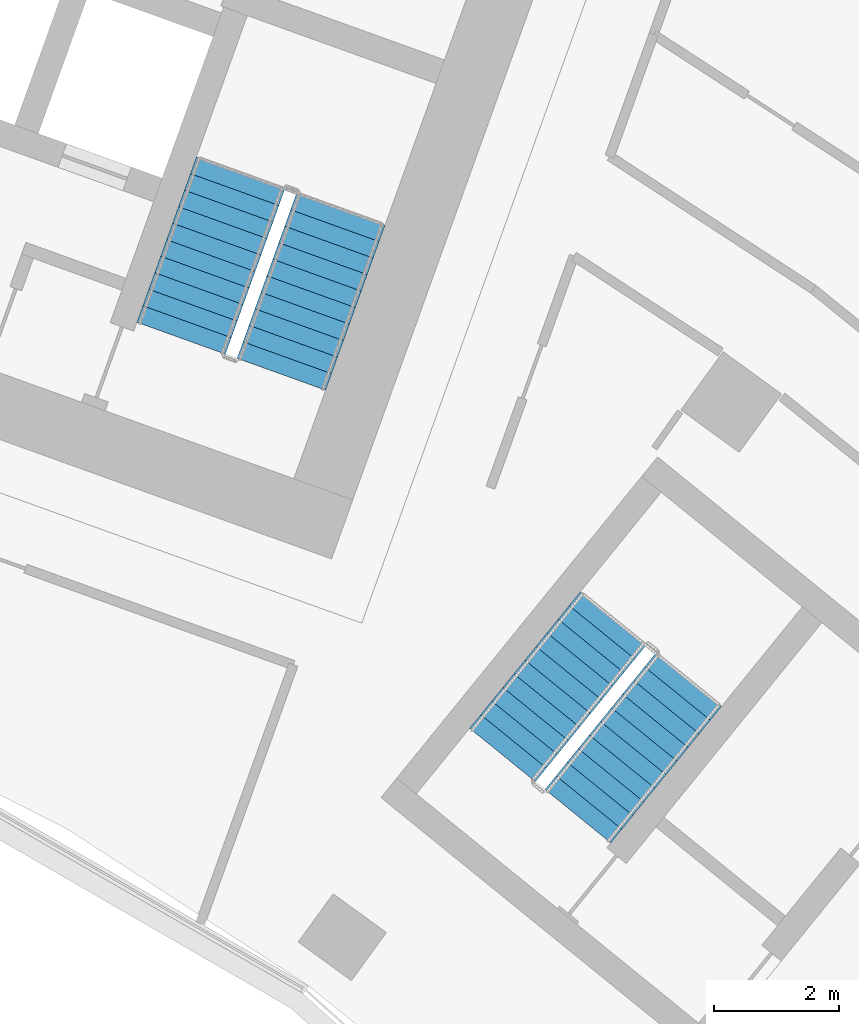
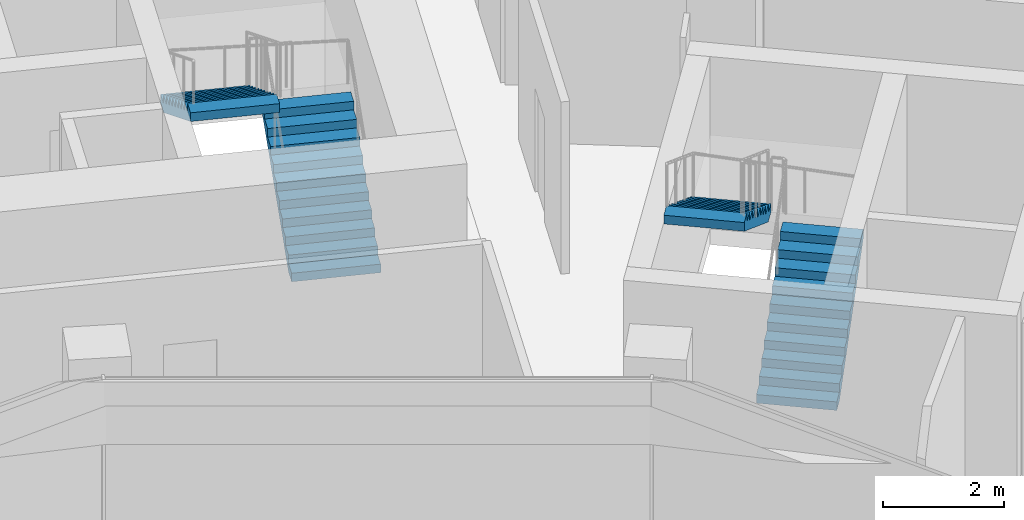
# One storey, part 17 of 18: 4 stair flights, 2 elements without a shape of their own.
"""IFC4 building model written with IfcOpenShell, lengths in metres."""

import ifcopenshell
import ifcopenshell.guid

model = None  # the IFC model being written
_history = None  # IfcOwnerHistory: only IFC2X3 demands one
_inside = {}  # id of a spatial element -> (the spatial element, [elements in it])
_under = {}  # id of a project, library or spatial element -> (it, [spatial elements below it])
_declared = {}  # id of a project -> (the project, [libraries it declares])
_typed = {}  # id of a type object -> (the type object, [elements of that type])
_made_of = {}  # id of a material, layer set ... -> (it, [elements and type objects made of it])


def new_model(schema):
    """Start an empty IFC model of exactly this schema.

    Asked for "IFC4X3", IfcOpenShell would pick the latest addendum, in which some entities
    have other attributes; the version numbers below select the first issue.
    IFC2X3 requires an IfcOwnerHistory on every rooted entity: one is made here for all.
    """
    global model, _history
    if schema == "IFC4X3":
        model = ifcopenshell.file(schema_version=(4, 3, 0, 0))
    else:
        model = ifcopenshell.file(schema=schema)
    _inside.clear()
    _under.clear()
    _declared.clear()
    _typed.clear()
    _made_of.clear()
    _history = None
    if model.schema == "IFC2X3":
        org = make("IfcOrganization", Name="unknown")
        user = make(
            "IfcPersonAndOrganization",
            ThePerson=make("IfcPerson", FamilyName="unknown"),
            TheOrganization=org,
        )
        app = make(
            "IfcApplication",
            ApplicationDeveloper=org,
            Version="unknown",
            ApplicationFullName="unknown",
            ApplicationIdentifier="unknown",
        )
        _history = make(
            "IfcOwnerHistory",
            OwningUser=user,
            OwningApplication=app,
            ChangeAction="ADDED",
            CreationDate=0,
        )
    return model


def make(cls, **values):
    """One entity of the class cls with the attributes given. An attribute that is None is left unset."""
    return model.create_entity(
        cls, **{name: value for name, value in values.items() if value is not None}
    )


def rooted(cls, **values):
    """An entity with a GlobalId (a new one), such as an element, a storey or a relation."""
    return make(cls, GlobalId=ifcopenshell.guid.new(), OwnerHistory=_history, **values)


def si_unit(unit_type, name, prefix=None):
    """IfcSIUnit, for example si_unit("LENGTHUNIT", "METRE", prefix="MILLI")."""
    return make("IfcSIUnit", UnitType=unit_type, Prefix=prefix, Name=name)


def assignment(units):
    """IfcUnitAssignment: the units of a project."""
    return None if units is None else make("IfcUnitAssignment", Units=units)


def point(xyz):
    """IfcCartesianPoint."""
    return None if xyz is None else make("IfcCartesianPoint", Coordinates=xyz)


def direction(xyz):
    """IfcDirection."""
    return None if xyz is None else make("IfcDirection", DirectionRatios=xyz)


def frame(location, z_axis=None, x_axis=None):
    """IfcAxis2Placement3D, a coordinate frame: its origin and axes. An axis left out is left unset."""
    return make(
        "IfcAxis2Placement3D",
        Location=point(location),
        Axis=direction(z_axis),
        RefDirection=direction(x_axis),
    )


def origin():
    """The frame at (0, 0, 0) with its axes left unset."""
    return frame((0.0, 0.0, 0.0))


def place(relative_to, where):
    """IfcLocalPlacement: puts the frame where relative to a parent placement (None: the world)."""
    return make(
        "IfcLocalPlacement", PlacementRelTo=relative_to, RelativePlacement=where
    )


def context(
    kind, dimensions, precision=None, world=None, true_north=None, identifier=None
):
    """IfcGeometricRepresentationContext, for example the 3D "Model" context."""
    return make(
        "IfcGeometricRepresentationContext",
        ContextIdentifier=identifier,
        ContextType=kind,
        CoordinateSpaceDimension=dimensions,
        Precision=precision,
        WorldCoordinateSystem=world,
        TrueNorth=true_north,
    )


def subcontext(parent, identifier, kind, view, scale=None):
    """IfcGeometricRepresentationSubContext, for example "Body" below "Model"."""
    return make(
        "IfcGeometricRepresentationSubContext",
        ContextIdentifier=identifier,
        ContextType=kind,
        ParentContext=parent,
        TargetScale=scale,
        TargetView=view,
    )


def project(units=None, contexts=None):
    """IfcProject with its units and contexts."""
    return rooted(
        "IfcProject",
        Name="project",
        RepresentationContexts=contexts,
        UnitsInContext=assignment(units),
    )


def spatial(cls, under=None, at=None, **own):
    """A site, building, storey or space (cls), placed at a placement, below another one or the project."""
    s = rooted(cls, ObjectPlacement=at, **own)
    if under is not None:
        _under.setdefault(under.id(), (under, []))[1].append(s)
    return s


def polyline(points):
    """IfcPolyline through the points."""
    return make("IfcPolyline", Points=[point(p) for p in points])


def outline(outer, holes=None, kind="AREA"):
    """IfcArbitraryClosedProfileDef: a profile drawn as a closed curve; with holes, ...WithVoids."""
    if holes is None:
        return make("IfcArbitraryClosedProfileDef", ProfileType=kind, OuterCurve=outer)
    return make(
        "IfcArbitraryProfileDefWithVoids",
        ProfileType=kind,
        OuterCurve=outer,
        InnerCurves=holes,
    )


def extrude(swept, where, along, depth):
    """IfcExtrudedAreaSolid: the profile swept, set in the frame where, extruded along a direction by depth."""
    return make(
        "IfcExtrudedAreaSolid",
        SweptArea=swept,
        Position=where,
        ExtrudedDirection=direction(along),
        Depth=depth,
    )


def shape(context_of_items, identifier, shape_type, items):
    """IfcShapeRepresentation: the items that make up one representation, for example the "Body"."""
    return make(
        "IfcShapeRepresentation",
        ContextOfItems=context_of_items,
        RepresentationIdentifier=identifier,
        RepresentationType=shape_type,
        Items=items,
    )


def material(Name=None, Category=None):
    """IfcMaterial."""
    return make("IfcMaterial", Name=Name, Category=Category)


def made_of(thing, what):
    """Note that an element or type object is made of a material, layer set ...; save() writes the relation."""
    if what is not None:
        _made_of.setdefault(what.id(), (what, []))[1].append(thing)
    return thing


def type_object(cls, material=None, **own):
    """A type object (cls), such as IfcWallType, which elements share."""
    return made_of(rooted(cls, **own), material)


def element(
    cls,
    number,
    at=None,
    inside=None,
    cuts=None,
    type_object=None,
    material=None,
    context=None,
    identifier="Body",
    shape_type=None,
    held_by="IfcProductDefinitionShape",
    body=None,
    shapes=None,
    **own,
):
    """One element of the class cls, such as IfcWall. Its Tag is "e" and its number.

    at: its placement. inside: the storey or other place that contains it. cuts: it is an
    opening in that element (IfcRelVoidsElement). A single representation is given by context,
    identifier, shape_type and body (its items); several are given by shapes. held_by: the class
    of the entity that holds the representations. save() writes the other relations.
    """
    e = rooted(cls, Tag="e%d" % number, ObjectPlacement=at, **own)
    if body is not None:
        shapes = [shape(context, identifier, shape_type, body)]
    if shapes is not None:
        e.Representation = make(held_by, Representations=shapes)
    if inside is not None:
        _inside.setdefault(inside.id(), (inside, []))[1].append(e)
    if cuts is not None:
        rooted(
            "IfcRelVoidsElement", RelatingBuildingElement=cuts, RelatedOpeningElement=e
        )
    if type_object is not None:
        _typed.setdefault(type_object.id(), (type_object, []))[1].append(e)
    return made_of(e, material)


def aggregate(whole, parts):
    """IfcRelAggregates: a whole, such as a stair, and the parts it consists of."""
    return rooted("IfcRelAggregates", RelatingObject=whole, RelatedObjects=parts)


def save(model, path):
    """Write the relations noted so far, then the file.

    IfcRelAggregates (storeys below a building ...), IfcRelContainedInSpatialStructure (elements
    in a storey), IfcRelDefinesByType, IfcRelAssociatesMaterial and IfcRelDeclares: one each for
    every whole, place, type object, material and project.
    """
    for whole, parts in _under.values():
        aggregate(whole, parts)
    for where, things in _inside.values():
        rooted(
            "IfcRelContainedInSpatialStructure",
            RelatedElements=things,
            RelatingStructure=where,
        )
    for kind, things in _typed.values():
        rooted("IfcRelDefinesByType", RelatedObjects=things, RelatingType=kind)
    for what, things in _made_of.values():
        rooted("IfcRelAssociatesMaterial", RelatedObjects=things, RelatingMaterial=what)
    for by, libraries in _declared.values():
        rooted("IfcRelDeclares", RelatingContext=by, RelatedDefinitions=libraries)
    model.write(path)


model = new_model("IFC4")

# Units and contexts
model_context = context("Model", 3, precision=1e-05, world=origin(), true_north=direction((0.0, 1.0)))
body_context = subcontext(model_context, "Body", "Model", "MODEL_VIEW")
ifc_project = project(units=[si_unit("LENGTHUNIT", "METRE"), si_unit("AREAUNIT", "SQUARE_METRE"), si_unit("VOLUMEUNIT", "CUBIC_METRE"), si_unit("PLANEANGLEUNIT", "RADIAN"), si_unit("MASSUNIT", "GRAM", prefix="KILO")], contexts=[model_context])

# Site, building, storey
site_placement = place(None, origin())
site = spatial("IfcSite", under=ifc_project, at=site_placement, CompositionType="ELEMENT")
building_placement = place(site_placement, origin())
building = spatial("IfcBuilding", under=site, at=building_placement, Name="Stone Belt Terrace Tower", CompositionType="ELEMENT")
storey_placement = place(building_placement, frame((0.0, 0.0, 220.0)))
storey = spatial("IfcBuildingStorey", under=building, at=storey_placement, Name="L53", CompositionType="ELEMENT", Elevation=220.0)

# Stair, stair flights
ifc_material = material(Name="Concrete B40", Category="concrete")
stair_type = type_object("IfcStairType", Name="Exit stair 1500", PredefinedType="HALF_TURN_STAIR", material=ifc_material)
stair_1_placement = place(storey_placement, origin())
stair_1 = element("IfcStair", 1, at=stair_1_placement, inside=storey, type_object=stair_type, Name="L53 Exit stair 1 core B", PredefinedType="HALF_TURN_STAIR")
stair_flight_type = type_object("IfcStairFlightType", Name="Stair flight 1500", PredefinedType="STRAIGHT", material=ifc_material)
stair_flight_1_placement = place(storey_placement, frame((25.15283203125, 44.9375, 0.0), z_axis=(0.0, 0.0, 1.0), x_axis=(0.338624396177, 0.940921632398, 0.0)))
stair_flight_1 = element("IfcStairFlight", 2, at=stair_flight_1_placement, type_object=stair_flight_type, Name="ST1B flight 1", NumberOfRisers=11, NumberOfTreads=10, PredefinedType="STRAIGHT", RiserHeight=0.172727273, TreadLength=0.28, context=body_context, shape_type="SweptSolid", body=[
    extrude(outline(polyline([(0.0, 0.0), (0.0, 0.172607421875), (0.280029296875, 0.172607421875), (0.280029296875, 0.345458984375), (0.56005859375, 0.345458984375), (0.56005859375, 0.51806640625), (0.840087890625, 0.51806640625), (0.840087890625, 0.69091796875), (1.1201171875, 0.69091796875), (1.1201171875, 0.863525390625), (1.39990234375, 0.863525390625), (1.39990234375, 1.036376953125), (1.679931640625, 1.036376953125), (1.679931640625, 1.208984375), (1.9599609375, 1.208984375), (1.9599609375, 1.3818359375), (2.239990234375, 1.3818359375), (2.239990234375, 1.554443359375), (2.52001953125, 1.554443359375), (2.52001953125, 1.727294921875), (2.800048828125, 1.727294921875), (2.800048828125, 1.89990234375), (2.800048828125, 1.551025390625), (0.285400390625, 0.0), (0.0, 0.0)])), frame((0.0, 0.75, 0.0), z_axis=(0.0, -1.0, 0.0), x_axis=(1.0, 0.0, 0.0)), (0.0, 0.0, 1.0), 1.5),
])
stair_flight_2_placement = place(storey_placement, frame((24.50146484375, 48.147705078125, 1.89990234375), z_axis=(0.0, 0.0, 1.0), x_axis=(-0.338624396177, -0.940921632398, 0.0)))
stair_flight_2 = element("IfcStairFlight", 3, at=stair_flight_2_placement, type_object=stair_flight_type, Name="ST1B flight 2", NumberOfRisers=11, NumberOfTreads=10, PredefinedType="STRAIGHT", RiserHeight=0.172727273, TreadLength=0.28, context=body_context, shape_type="SweptSolid", body=[
    extrude(outline(polyline([(0.0, 0.0), (0.0, 0.172607421875), (0.280029296875, 0.172607421875), (0.280029296875, 0.345458984375), (0.56005859375, 0.345458984375), (0.56005859375, 0.51806640625), (0.840087890625, 0.51806640625), (0.840087890625, 0.69091796875), (1.1201171875, 0.69091796875), (1.1201171875, 0.863525390625), (1.39990234375, 0.863525390625), (1.39990234375, 1.036376953125), (1.679931640625, 1.036376953125), (1.679931640625, 1.208984375), (1.9599609375, 1.208984375), (1.9599609375, 1.3818359375), (2.239990234375, 1.3818359375), (2.239990234375, 1.554443359375), (2.52001953125, 1.554443359375), (2.52001953125, 1.727294921875), (2.800048828125, 1.727294921875), (2.800048828125, 1.89990234375), (2.800048828125, 1.551025390625), (0.285400390625, 0.0), (0.0, 0.0)])), frame((0.0, 0.75, 0.0), z_axis=(0.0, -1.0, 0.0), x_axis=(1.0, 0.0, 0.0)), (0.0, 0.0, 1.0), 1.5),
])
aggregate(stair_1, [stair_flight_1, stair_flight_2])

stair_2_placement = place(storey_placement, origin())
stair_2 = element("IfcStair", 4, at=stair_2_placement, inside=storey, type_object=stair_type, Name="L53 Exit stair 3B", PredefinedType="HALF_TURN_STAIR")
stair_flight_3_placement = place(storey_placement, frame((29.88330078125, 37.887939453125, 0.0), z_axis=(0.0, 0.0, 1.0), x_axis=(0.630205749599, 0.776428176441, 0.0)))
stair_flight_3 = element("IfcStairFlight", 5, at=stair_flight_3_placement, type_object=stair_flight_type, Name="ST3B flight 1", NumberOfRisers=11, NumberOfTreads=10, PredefinedType="STRAIGHT", RiserHeight=0.172727273, TreadLength=0.28, context=body_context, shape_type="SweptSolid", body=[
    extrude(outline(polyline([(0.0, 0.0), (0.0, 0.172607421875), (0.280029296875, 0.172607421875), (0.280029296875, 0.345458984375), (0.56005859375, 0.345458984375), (0.56005859375, 0.51806640625), (0.840087890625, 0.51806640625), (0.840087890625, 0.69091796875), (1.1201171875, 0.69091796875), (1.1201171875, 0.863525390625), (1.39990234375, 0.863525390625), (1.39990234375, 1.036376953125), (1.679931640625, 1.036376953125), (1.679931640625, 1.208984375), (1.9599609375, 1.208984375), (1.9599609375, 1.3818359375), (2.239990234375, 1.3818359375), (2.239990234375, 1.554443359375), (2.52001953125, 1.554443359375), (2.52001953125, 1.727294921875), (2.800048828125, 1.727294921875), (2.800048828125, 1.89990234375), (2.800048828125, 1.551025390625), (0.285400390625, 0.0), (0.0, 0.0)])), frame((0.0, 0.675048828125, 0.0), z_axis=(0.0, -1.0, 0.0), x_axis=(1.0, 0.0, 0.0)), (0.0, 0.0, 1.0), 1.35009765625),
])
stair_flight_4_placement = place(storey_placement, frame((30.4443359375, 41.038818359375, 1.89990234375), z_axis=(0.0, 0.0, 1.0), x_axis=(-0.630205749599, -0.776428176441, 0.0)))
stair_flight_4 = element("IfcStairFlight", 6, at=stair_flight_4_placement, type_object=stair_flight_type, Name="ST3B flight 2", NumberOfRisers=11, NumberOfTreads=10, PredefinedType="STRAIGHT", RiserHeight=0.172727273, TreadLength=0.28, context=body_context, shape_type="SweptSolid", body=[
    extrude(outline(polyline([(0.0, 0.0), (0.0, 0.172607421875), (0.280029296875, 0.172607421875), (0.280029296875, 0.345458984375), (0.56005859375, 0.345458984375), (0.56005859375, 0.51806640625), (0.840087890625, 0.51806640625), (0.840087890625, 0.69091796875), (1.1201171875, 0.69091796875), (1.1201171875, 0.863525390625), (1.39990234375, 0.863525390625), (1.39990234375, 1.036376953125), (1.679931640625, 1.036376953125), (1.679931640625, 1.208984375), (1.9599609375, 1.208984375), (1.9599609375, 1.3818359375), (2.239990234375, 1.3818359375), (2.239990234375, 1.554443359375), (2.52001953125, 1.554443359375), (2.52001953125, 1.727294921875), (2.800048828125, 1.727294921875), (2.800048828125, 1.89990234375), (2.800048828125, 1.551025390625), (0.285400390625, 0.0), (0.0, 0.0)])), frame((0.0, 0.675048828125, 0.0), z_axis=(0.0, -1.0, 0.0), x_axis=(1.0, 0.0, 0.0)), (0.0, 0.0, 1.0), 1.35009765625),
])
aggregate(stair_2, [stair_flight_3, stair_flight_4])

save(model, "model.ifc")
